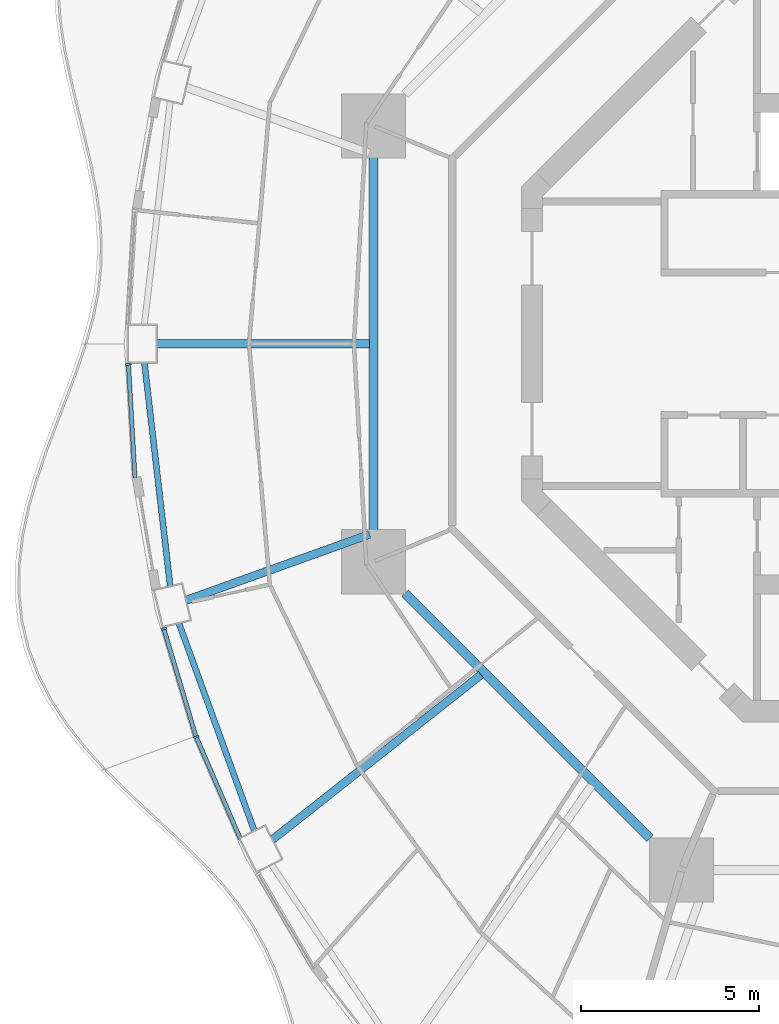
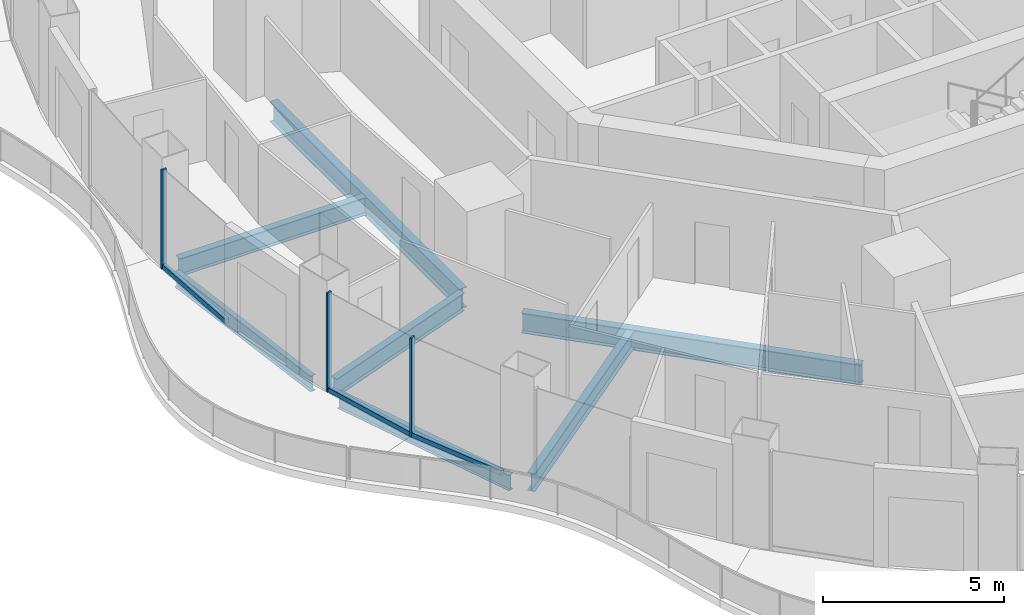
# One storey, part 3 of 19: 7 beams, 6 members, 3 elements without a shape of their own.
"""IFC4 building model written with IfcOpenShell, lengths in metres."""

from ifc_helpers import new_model, si_unit, direction, frame, origin, origin_2d, place, context, subcontext, project, spatial, rectangle, i_section, extrude, material, layer, layer_set, material_profile, profile_set, type_object, element, aggregate, save


model = new_model("IFC4")

# Units and contexts
model_context = context("Model", 3, precision=1e-05, world=origin(), true_north=direction((0.0, 1.0)))
body_context = subcontext(model_context, "Body", "Model", "MODEL_VIEW")
ifc_project = project(units=[si_unit("LENGTHUNIT", "METRE"), si_unit("AREAUNIT", "SQUARE_METRE"), si_unit("VOLUMEUNIT", "CUBIC_METRE"), si_unit("PLANEANGLEUNIT", "RADIAN"), si_unit("MASSUNIT", "GRAM", prefix="KILO")], contexts=[model_context])

# Site, building, storey
site_placement = place(None, origin())
site = spatial("IfcSite", under=ifc_project, at=site_placement, CompositionType="ELEMENT")
building_placement = place(site_placement, origin())
building = spatial("IfcBuilding", under=site, at=building_placement, Name="Nagisa Residences", CompositionType="ELEMENT")
storey_placement = place(building_placement, frame((0.0, 0.0, 202.89990234375)))
storey = spatial("IfcBuildingStorey", under=building, at=storey_placement, Name="L51", CompositionType="ELEMENT", Elevation=202.89990234375)

# Curtain wall, member
ifc_material_1 = material(Name="Concrete-coloured aluminium curtain wall system", Category="concrete")
ifc_layer = layer(ifc_material_1, 0.159912109375)
ifc_layer_set = layer_set([ifc_layer], Name="CW1 CURTAIN WALL")
curtain_wall_type = type_object("IfcCurtainWallType", Name="CW1 CURTAIN WALL", PredefinedType="NOTDEFINED", material=ifc_layer_set)
curtain_wall_1_placement = place(storey_placement, origin())
curtain_wall_1 = element("IfcCurtainWall", 1, at=curtain_wall_1_placement, inside=storey, type_object=curtain_wall_type, Name="cw:CW1:L51:24", PredefinedType="NOTDEFINED")
ifc_material_2 = material(Name="Concrete-coloured aluminium", Category="concrete")
ifc_material_profile_1 = material_profile(ifc_material_2, rectangle(XDim=0.159912109375, YDim=0.06005859375, at=origin_2d()), Name="CW1 MULLION 160x60")
ifc_profile_set_1 = profile_set([ifc_material_profile_1], Name="Concrete-coloured aluminium")
member_type_1 = type_object("IfcMemberType", Name="CW1 MULLION 160x60", PredefinedType="MULLION", material=ifc_profile_set_1)
member_1_placement = place(storey_placement, frame((-21.661865234375, -0.574462890625, 0.0), z_axis=(0.0, 0.0, 1.0), x_axis=(0.998345305184, 0.057503492216, 0.0)))
member_1 = element("IfcMember", 2, at=member_1_placement, type_object=member_type_1, Name="CW1 mullion", PredefinedType="MULLION", context=body_context, shape_type="SweptSolid", body=[
    extrude(rectangle(XDim=0.159912109375, YDim=0.06005859375, at=origin_2d()), origin(), (0.0, 0.0, 1.0), 3.35009765625),
])

curtain_wall_2_placement = place(storey_placement, origin())
curtain_wall_2 = element("IfcCurtainWall", 3, at=curtain_wall_2_placement, inside=storey, type_object=curtain_wall_type, Name="cw:CW1:L51:26", PredefinedType="NOTDEFINED")
member_2_placement = place(storey_placement, frame((-20.66796875, -8.00634765625, 0.0), z_axis=(0.0, 0.0, 1.0), x_axis=(0.958271310082, 0.285860274038, 0.0)))
member_2 = element("IfcMember", 4, at=member_2_placement, type_object=member_type_1, Name="CW1 mullion", PredefinedType="MULLION", context=body_context, shape_type="SweptSolid", body=[
    extrude(rectangle(XDim=0.159912109375, YDim=0.06005859375, at=origin_2d()), origin(), (0.0, 0.0, 1.0), 3.35009765625),
])

curtain_wall_3_placement = place(storey_placement, origin())
curtain_wall_3 = element("IfcCurtainWall", 5, at=curtain_wall_3_placement, inside=storey, type_object=curtain_wall_type, Name="cw:CW1:L51:27", PredefinedType="NOTDEFINED")
member_3_placement = place(storey_placement, frame((-19.758056640625, -11.045654296875, 0.0), z_axis=(0.0, 0.0, 1.0), x_axis=(0.917543276295, 0.397635934147, 0.0)))
member_3 = element("IfcMember", 6, at=member_3_placement, type_object=member_type_1, Name="CW1 mullion", PredefinedType="MULLION", context=body_context, shape_type="SweptSolid", body=[
    extrude(rectangle(XDim=0.159912109375, YDim=0.06005859375, at=origin_2d()), origin(), (0.0, 0.0, 1.0), 3.35009765625),
])

# Member
ifc_material_3 = material(Name="Concrete-coloured aluminium", Category="concrete")
ifc_material_profile_2 = material_profile(ifc_material_3, rectangle(XDim=0.1201171875, YDim=0.14990234375, at=origin_2d()), Name="CW1 TRANSOM 120x150")
ifc_profile_set_2 = profile_set([ifc_material_profile_2], Name="Concrete-coloured aluminium")
member_type_2 = type_object("IfcMemberType", Name="CW1 TRANSOM 120x150", PredefinedType="USERDEFINED", material=ifc_profile_set_2)
member_4_placement = place(storey_placement, frame((-21.66357421875, -0.54443359375, 0.0751953125), z_axis=(0.057528345118, -0.998343873376, 0.0), x_axis=(0.998343873376, 0.057528345118, 0.0)))
member_4 = element("IfcMember", 7, at=member_4_placement, type_object=member_type_2, Name="CW1 transom", ObjectType="TRANSOM", PredefinedType="USERDEFINED", context=body_context, shape_type="SweptSolid", body=[
    extrude(rectangle(XDim=0.1201171875, YDim=0.14990234375, at=origin_2d()), origin(), (0.0, 0.0, 1.0), 3.225341796875),
])

aggregate(curtain_wall_1, [member_1, member_4])

member_5_placement = place(storey_placement, frame((-20.676513671875, -7.9775390625, 0.0751953125), z_axis=(0.28584838049, -0.958274857946, 0.0), x_axis=(0.958274857946, 0.28584838049, 0.0)))
member_5 = element("IfcMember", 8, at=member_5_placement, type_object=member_type_2, Name="CW1 transom", ObjectType="TRANSOM", PredefinedType="USERDEFINED", context=body_context, shape_type="SweptSolid", body=[
    extrude(rectangle(XDim=0.1201171875, YDim=0.14990234375, at=origin_2d()), origin(), (0.0, 0.0, 1.0), 3.182373046875),
])

aggregate(curtain_wall_2, [member_2, member_5])

member_6_placement = place(storey_placement, frame((-19.77001953125, -11.01806640625, 0.0751953125), z_axis=(0.397592173732, -0.917562239517, 0.0), x_axis=(0.917562239517, 0.397592173732, 0.0)))
member_6 = element("IfcMember", 9, at=member_6_placement, type_object=member_type_2, Name="CW1 transom", ObjectType="TRANSOM", PredefinedType="USERDEFINED", context=body_context, shape_type="SweptSolid", body=[
    extrude(rectangle(XDim=0.1201171875, YDim=0.14990234375, at=origin_2d()), origin(), (0.0, 0.0, 1.0), 3.14208984375),
])

aggregate(curtain_wall_3, [member_3, member_6])

# Beams
ifc_material_4 = material(Name="Steel ASTM A572 Gr 50", Category="steel")
ifc_material_profile_3 = material_profile(ifc_material_4, i_section(OverallWidth=0.25390625, OverallDepth=0.68408203125, WebThickness=0.012451171875, FlangeThickness=0.018798828125, at=origin_2d()), Name="W690x140")
ifc_profile_set_3 = profile_set([ifc_material_profile_3], Name="Steel ASTM A572 Gr 50")
beam_type_1 = type_object("IfcBeamType", Name="Inner ring beam W690x140", PredefinedType="BEAM", material=ifc_profile_set_3)
beam_1_placement = place(storey_placement, frame((-14.781982421875, 5.242919921875, -0.601806640625), z_axis=(0.0, -1.0, 0.0), x_axis=(1.0, 0.0, 0.0)))
element("IfcBeam", 10, at=beam_1_placement, inside=storey, type_object=beam_type_1, Name="beam:L51:ib4", PredefinedType="BEAM", context=body_context, shape_type="SweptSolid", body=[
    extrude(i_section(OverallWidth=0.25390625, OverallDepth=0.68408203125, WebThickness=0.012451171875, FlangeThickness=0.018798828125, at=origin_2d()), origin(), (0.0, 0.0, 1.0), 10.48583984375),
])
beam_2_placement = place(storey_placement, frame((-13.896240234375, -7.0087890625, -0.601806640625), z_axis=(0.707106781187, -0.707106781187, 0.0), x_axis=(0.707106781187, 0.707106781187, 0.0)))
element("IfcBeam", 11, at=beam_2_placement, inside=storey, type_object=beam_type_1, Name="beam:L51:ib5", PredefinedType="BEAM", context=body_context, shape_type="SweptSolid", body=[
    extrude(i_section(OverallWidth=0.25390625, OverallDepth=0.68408203125, WebThickness=0.012451171875, FlangeThickness=0.018798828125, at=origin_2d()), origin(), (0.0, 0.0, 1.0), 9.740234375),
])
ifc_material_5 = material(Name="Steel ASTM A572 Gr 50", Category="steel")
ifc_material_profile_4 = material_profile(ifc_material_5, i_section(OverallWidth=0.166015625, OverallDepth=0.534912109375, WebThickness=0.01025390625, FlangeThickness=0.0166015625, at=origin_2d()), Name="W530x85")
ifc_profile_set_4 = profile_set([ifc_material_profile_4], Name="Steel ASTM A572 Gr 50")
beam_type_2 = type_object("IfcBeamType", Name="Perimeter ring beam W530x85", PredefinedType="BEAM", material=ifc_profile_set_4)
beam_3_placement = place(storey_placement, frame((-21.2138671875, -0.530029296875, -0.52734375), z_axis=(0.114670987431, -0.993403525583, 0.0), x_axis=(0.993403525583, 0.114670987431, 0.0)))
element("IfcBeam", 12, at=beam_3_placement, inside=storey, type_object=beam_type_2, Name="beam:L51:pb13", PredefinedType="BEAM", context=body_context, shape_type="SweptSolid", body=[
    extrude(i_section(OverallWidth=0.166015625, OverallDepth=0.534912109375, WebThickness=0.01025390625, FlangeThickness=0.0166015625, at=origin_2d()), origin(), (0.0, 0.0, 1.0), 6.325439453125),
])
beam_4_placement = place(storey_placement, frame((-20.2451171875, -7.845703125, -0.52734375), z_axis=(0.341285525681, -0.939959674646, 0.0), x_axis=(0.939959674646, 0.341285525681, 0.0)))
element("IfcBeam", 13, at=beam_4_placement, inside=storey, type_object=beam_type_2, Name="beam:L51:pb14", PredefinedType="BEAM", context=body_context, shape_type="SweptSolid", body=[
    extrude(i_section(OverallWidth=0.166015625, OverallDepth=0.534912109375, WebThickness=0.01025390625, FlangeThickness=0.0166015625, at=origin_2d()), origin(), (0.0, 0.0, 1.0), 6.212890625),
])
ifc_material_6 = material(Name="Steel ASTM A572 Gr 50", Category="steel")
ifc_material_profile_5 = material_profile(ifc_material_6, i_section(OverallWidth=0.22802734375, OverallDepth=0.60302734375, WebThickness=0.010498046875, FlangeThickness=0.014892578125, at=origin_2d()), Name="W610x101")
ifc_profile_set_5 = profile_set([ifc_material_profile_5], Name="Steel ASTM A572 Gr 50")
beam_type_3 = type_object("IfcBeamType", Name="Radial beam W610x101", PredefinedType="BEAM", material=ifc_profile_set_5)
beam_5_placement = place(storey_placement, frame((-20.8701171875, 0.0, -0.5615234375), z_axis=(1.0, 0.0, 0.0), x_axis=(0.0, 1.0, 0.0)))
element("IfcBeam", 14, at=beam_5_placement, inside=storey, type_object=beam_type_3, Name="beam:L51:rb13", PredefinedType="BEAM", context=body_context, shape_type="SweptSolid", body=[
    extrude(i_section(OverallWidth=0.22802734375, OverallDepth=0.60302734375, WebThickness=0.010498046875, FlangeThickness=0.014892578125, at=origin_2d()), origin(), (0.0, 0.0, 1.0), 5.98095703125),
])
beam_6_placement = place(storey_placement, frame((-20.043701171875, -7.2060546875, -0.5615234375), z_axis=(0.941032808963, 0.338315315137, 0.0), x_axis=(-0.338315315137, 0.941032808963, 0.0)))
element("IfcBeam", 15, at=beam_6_placement, inside=storey, type_object=beam_type_3, Name="beam:L51:rb14", PredefinedType="BEAM", context=body_context, shape_type="SweptSolid", body=[
    extrude(i_section(OverallWidth=0.22802734375, OverallDepth=0.60302734375, WebThickness=0.010498046875, FlangeThickness=0.014892578125, at=origin_2d()), origin(), (0.0, 0.0, 1.0), 5.4765625),
])
beam_7_placement = place(storey_placement, frame((-17.617919921875, -13.930908203125, -0.5615234375), z_axis=(0.784411523752, 0.620240728593, 0.0), x_axis=(-0.620240728593, 0.784411523752, 0.0)))
element("IfcBeam", 16, at=beam_7_placement, inside=storey, type_object=beam_type_3, Name="beam:L51:rb15", PredefinedType="BEAM", context=body_context, shape_type="SweptSolid", body=[
    extrude(i_section(OverallWidth=0.22802734375, OverallDepth=0.60302734375, WebThickness=0.010498046875, FlangeThickness=0.014892578125, at=origin_2d()), origin(), (0.0, 0.0, 1.0), 7.4697265625),
])

save(model, "model.ifc")
